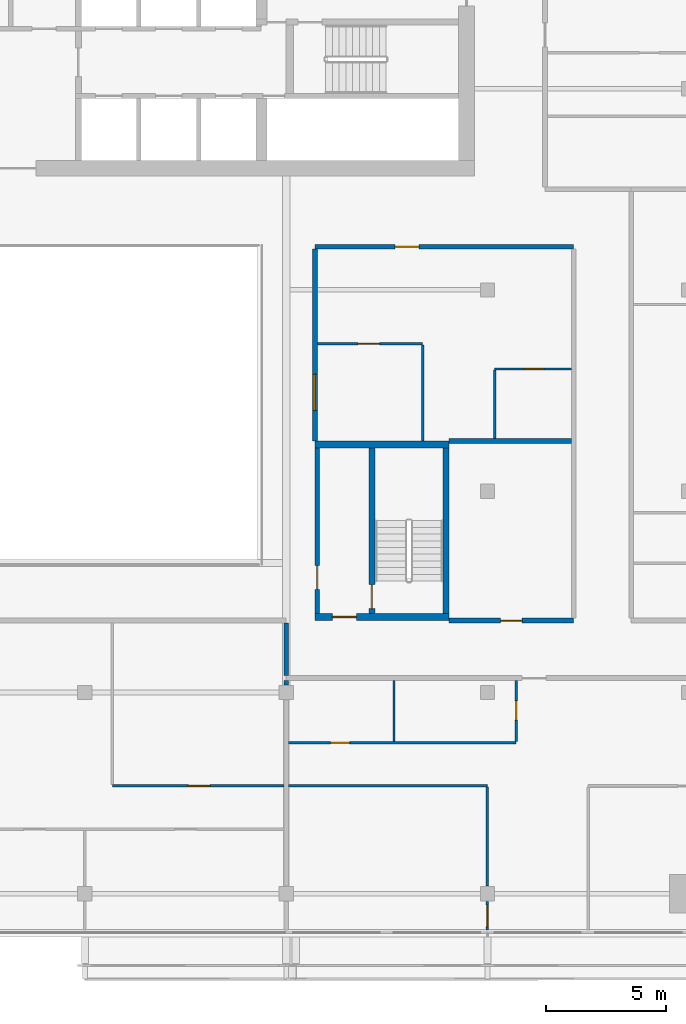
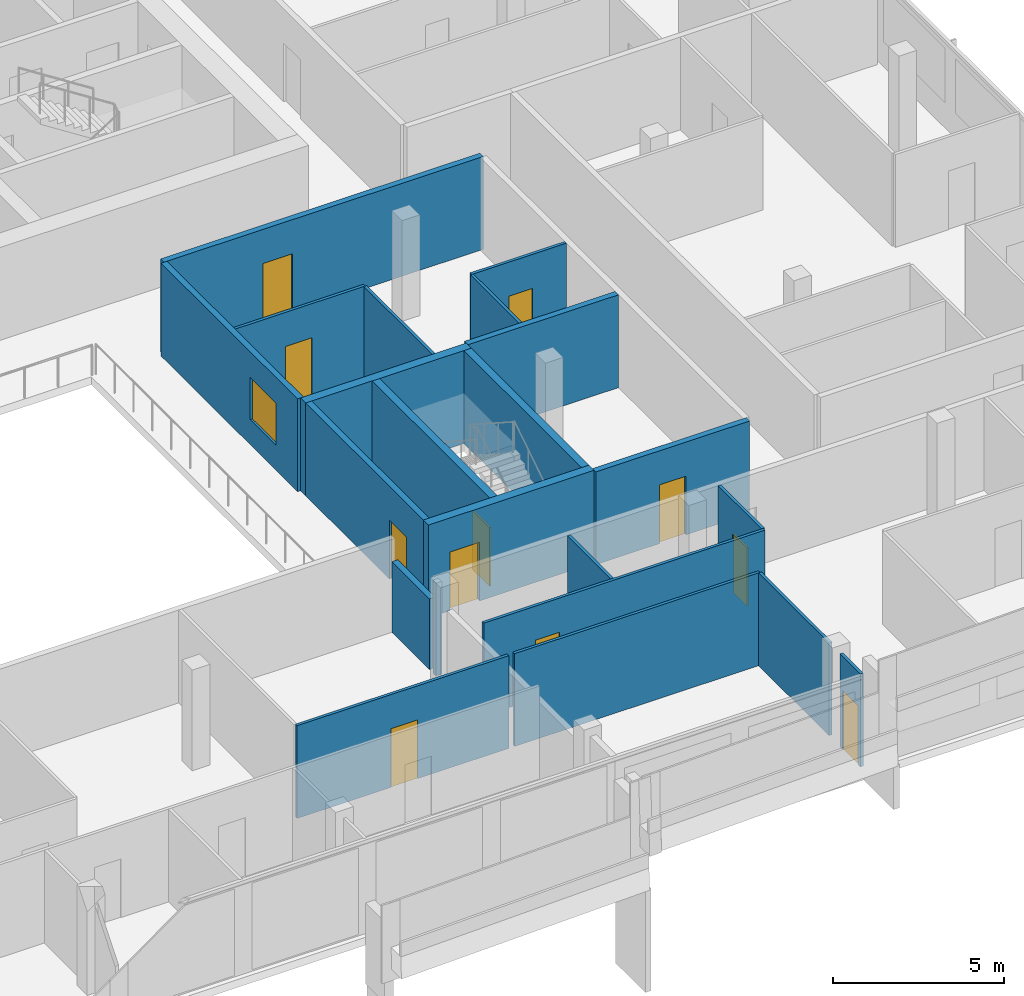
# One storey, part 19 of 27: 22 walls, 11 doors, 1 window, 12 openings.
"""IFC4 building model written with IfcOpenShell, lengths in metres."""

from ifc_helpers import new_model, si_unit, direction, frame, frame_2d, origin, place, context, subcontext, project, spatial, rectangle, extrude, material, layer, layer_set, type_object, element, fill, save


model = new_model("IFC4")

# Units and contexts
model_context = context("Model", 3, precision=1e-05, world=origin(), true_north=direction((0.0, 1.0)))
body_context = subcontext(model_context, "Body", "Model", "MODEL_VIEW")
ifc_project = project(units=[si_unit("LENGTHUNIT", "METRE"), si_unit("AREAUNIT", "SQUARE_METRE"), si_unit("VOLUMEUNIT", "CUBIC_METRE"), si_unit("PLANEANGLEUNIT", "RADIAN"), si_unit("MASSUNIT", "GRAM", prefix="KILO")], contexts=[model_context])

# Site, building, storey
site_placement = place(None, origin())
site = spatial("IfcSite", under=ifc_project, at=site_placement, CompositionType="ELEMENT")
building_placement = place(site_placement, origin())
building = spatial("IfcBuilding", under=site, at=building_placement, Name="Saffron Gate Tower", CompositionType="ELEMENT")
storey_placement = place(building_placement, frame((0.0, 0.0, 234.300048828125)))
storey = spatial("IfcBuildingStorey", under=building, at=storey_placement, Name="L57", CompositionType="ELEMENT", Elevation=234.300048828125)

# Wall, opening, door
ifc_material_1 = material(Name="Gypsum board partition on steel studs", Category="steel")
ifc_layer_1 = layer(ifc_material_1, 0.199951171875)
ifc_layer_set_1 = layer_set([ifc_layer_1], Name="CW10 Core partition 200")
wall_type_1 = type_object("IfcWallType", Name="CW10 Core partition 200", PredefinedType="PARTITIONING", material=ifc_layer_set_1)
wall_1_placement = place(storey_placement, frame((101.5, 43.5, 0.0), z_axis=(0.0, 0.0, 1.0), x_axis=(0.0, 1.0, 0.0)))
wall_1 = element("IfcWall", 1, at=wall_1_placement, inside=storey, type_object=wall_type_1, Name="Wall CW10-L57-E-2", PredefinedType="PARTITIONING", context=body_context, shape_type="SweptSolid", body=[
    extrude(rectangle(XDim=6.89990234375, YDim=0.199951171875, at=frame_2d((3.449951171875, 0.0))), origin(), (0.0, 0.0, 1.0), 3.320068359375),
])
opening_1_placement = place(wall_1_placement, frame((1.0, 0.0, 0.0)))
opening_1 = element("IfcOpeningElement", 2, at=opening_1_placement, cuts=wall_1, Name="Opening CR-22", PredefinedType="OPENING", context=body_context, shape_type="SweptSolid", body=[
    extrude(rectangle(XDim=1.0, YDim=2.10009765625, at=frame_2d((0.5, 1.050048828125))), frame((0.0, 0.10986328125, 0.0), z_axis=(0.0, -1.0, 0.0), x_axis=(1.0, 0.0, 0.0)), (0.0, 0.0, 1.0), 0.219970703125),
])
ifc_material_2 = material(Name="Steel fire door set", Category="steel")
door_type_1 = type_object("IfcDoorType", Name="CD4 Lobby door 1000x2100 EI 120", OperationType="NOTDEFINED", PredefinedType="DOOR", material=ifc_material_2)
door_1_placement = place(opening_1_placement, origin())
door_1 = element("IfcDoor", 3, at=door_1_placement, inside=storey, type_object=door_type_1, Name="DOOR CR-22", OperationType="SINGLE_SWING_LEFT", OverallHeight=2.10009765625, OverallWidth=1.0, PredefinedType="DOOR", context=body_context, shape_type="SweptSolid", body=[
    extrude(rectangle(XDim=1.0, YDim=2.10009765625, at=frame_2d((0.5, 1.050048828125))), frame((0.0, 0.02490234375, 0.0), z_axis=(0.0, -1.0, 0.0), x_axis=(1.0, 0.0, 0.0)), (0.0, 0.0, 1.0), 0.050048828125),
])
fill(opening_1, door_1)

ifc_material_3 = material(Name="Concrete C60", Category="concrete")
ifc_layer_2 = layer(ifc_material_3, 0.25)
ifc_layer_set_2 = layer_set([ifc_layer_2], Name="CW14 RC core wall 250 C60")
wall_type_2 = type_object("IfcWallType", Name="CW14 RC core wall 250 C60", PredefinedType="SOLIDWALL", material=ifc_layer_set_2)
wall_2_placement = place(storey_placement, frame((103.77490234375, 43.5, 0.0), z_axis=(0.0, 0.0, 1.0), x_axis=(0.0, 1.0, 0.0)))
wall_2 = element("IfcWall", 4, at=wall_2_placement, inside=storey, type_object=wall_type_2, Name="Wall CW14-L57-E-3", PredefinedType="SOLIDWALL", context=body_context, shape_type="SweptSolid", body=[
    extrude(rectangle(XDim=6.89990234375, YDim=0.25, at=frame_2d((3.449951171875, 0.0))), origin(), (0.0, 0.0, 1.0), 3.320068359375),
])
opening_2_placement = place(wall_2_placement, frame((0.199951171875, 0.0, 0.0)))
opening_2 = element("IfcOpeningElement", 5, at=opening_2_placement, cuts=wall_2, Name="Opening CR-23", PredefinedType="OPENING", context=body_context, shape_type="SweptSolid", body=[
    extrude(rectangle(XDim=1.0, YDim=2.10009765625, at=frame_2d((0.5, 1.050048828125))), frame((0.0, 0.135009765625, 0.0), z_axis=(0.0, -1.0, 0.0), x_axis=(1.0, 0.0, 0.0)), (0.0, 0.0, 1.0), 0.27001953125),
])
door_type_2 = type_object("IfcDoorType", Name="CD5 Stair door 1000x2100 EI 120", OperationType="NOTDEFINED", PredefinedType="DOOR", material=ifc_material_2)
door_2_placement = place(opening_2_placement, origin())
door_2 = element("IfcDoor", 6, at=door_2_placement, inside=storey, type_object=door_type_2, Name="DOOR CR-23", OperationType="SINGLE_SWING_RIGHT", OverallHeight=2.10009765625, OverallWidth=1.0, PredefinedType="DOOR", context=body_context, shape_type="SweptSolid", body=[
    extrude(rectangle(XDim=1.0, YDim=2.10009765625, at=frame_2d((0.5, 1.050048828125))), frame((0.0, 0.02490234375, 0.0), z_axis=(0.0, -1.0, 0.0), x_axis=(1.0, 0.0, 0.0)), (0.0, 0.0, 1.0), 0.050048828125),
])
fill(opening_2, door_2)

# Wall
wall_3_placement = place(storey_placement, frame((106.875, 43.5, 0.0), z_axis=(0.0, 0.0, 1.0), x_axis=(0.0, 1.0, 0.0)))
element("IfcWall", 7, at=wall_3_placement, inside=storey, type_object=wall_type_2, Name="Wall CW14-L57-E-4", PredefinedType="SOLIDWALL", context=body_context, shape_type="SweptSolid", body=[
    extrude(rectangle(XDim=6.89990234375, YDim=0.25, at=frame_2d((3.449951171875, 0.0))), origin(), (0.0, 0.0, 1.0), 3.320068359375),
])

# Wall, opening, door
ifc_layer_3 = layer(ifc_material_3, 0.300048828125)
ifc_layer_set_3 = layer_set([ifc_layer_3], Name="CW17 RC core wall 300 C60")
wall_type_3 = type_object("IfcWallType", Name="CW17 RC core wall 300 C60", PredefinedType="SOLIDWALL", material=ifc_layer_set_3)
wall_4_placement = place(storey_placement, frame((101.39990234375, 43.35009765625, 0.0), z_axis=(0.0, 0.0, 1.0), x_axis=(1.0, 0.0, 0.0)))
wall_4 = element("IfcWall", 8, at=wall_4_placement, inside=storey, type_object=wall_type_3, Name="Wall CW17-L57-E-1", PredefinedType="SOLIDWALL", context=body_context, shape_type="SweptSolid", body=[
    extrude(rectangle(XDim=5.60009765625, YDim=0.300048828125, at=frame_2d((2.800048828125, 0.0))), origin(), (0.0, 0.0, 1.0), 3.320068359375),
])
opening_3_placement = place(wall_4_placement, frame((0.72509765625, 0.0, 0.0)))
opening_3 = element("IfcOpeningElement", 9, at=opening_3_placement, cuts=wall_4, Name="Opening CR-21", PredefinedType="OPENING", context=body_context, shape_type="SweptSolid", body=[
    extrude(rectangle(XDim=1.0, YDim=2.10009765625, at=frame_2d((0.5, 1.050048828125))), frame((0.0, 0.16015625, 0.0), z_axis=(0.0, -1.0, 0.0), x_axis=(1.0, 0.0, 0.0)), (0.0, 0.0, 1.0), 0.320068359375),
])
door_3_placement = place(opening_3_placement, origin())
door_3 = element("IfcDoor", 10, at=door_3_placement, inside=storey, type_object=door_type_1, Name="DOOR CR-21", OperationType="SINGLE_SWING_RIGHT", OverallHeight=2.10009765625, OverallWidth=1.0, PredefinedType="DOOR", context=body_context, shape_type="SweptSolid", body=[
    extrude(rectangle(XDim=1.0, YDim=2.10009765625, at=frame_2d((0.5, 1.050048828125))), frame((0.0, 0.02490234375, 0.0), z_axis=(0.0, -1.0, 0.0), x_axis=(1.0, 0.0, 0.0)), (0.0, 0.0, 1.0), 0.050048828125),
])
fill(opening_3, door_3)

# Wall
wall_5_placement = place(storey_placement, frame((101.39990234375, 50.550048828125, 0.0), z_axis=(0.0, 0.0, 1.0), x_axis=(1.0, 0.0, 0.0)))
element("IfcWall", 11, at=wall_5_placement, inside=storey, type_object=wall_type_3, Name="Wall CW17-L57-E-5", PredefinedType="SOLIDWALL", context=body_context, shape_type="SweptSolid", body=[
    extrude(rectangle(XDim=5.60009765625, YDim=0.300048828125, at=frame_2d((2.800048828125, 0.0))), origin(), (0.0, 0.0, 1.0), 3.320068359375),
])

# Wall, opening, door
ifc_material_4 = material(Name="Plasterboard on steel studs", Category="steel")
ifc_layer_4 = layer(ifc_material_4, 0.10009765625)
ifc_layer_set_4 = layer_set([ifc_layer_4], Name="PW1 Partition 100")
wall_type_4 = type_object("IfcWallType", Name="PW1 Partition 100", PredefinedType="PARTITIONING", material=ifc_layer_set_4)
wall_6_placement = place(storey_placement, frame((100.300048828125, 38.10009765625, 0.0), z_axis=(0.0, 0.0, 1.0), x_axis=(1.0, 0.0, 0.0)))
wall_6 = element("IfcWall", 12, at=wall_6_placement, inside=storey, type_object=wall_type_4, Name="Partition D3-6", PredefinedType="PARTITIONING", context=body_context, shape_type="SweptSolid", body=[
    extrude(rectangle(XDim=9.5, YDim=0.10009765625, at=frame_2d((4.75, 0.0))), origin(), (0.0, 0.0, 1.0), 3.320068359375),
])
opening_4_placement = place(wall_6_placement, frame((1.75, 0.0, 0.0)))
opening_4 = element("IfcOpeningElement", 13, at=opening_4_placement, cuts=wall_6, Name="Opening D3-43", PredefinedType="OPENING", context=body_context, shape_type="SweptSolid", body=[
    extrude(rectangle(XDim=0.800048828125, YDim=2.10009765625, at=frame_2d((0.39990234375, 1.050048828125))), frame((0.0, 0.06005859375, 0.0), z_axis=(0.0, -1.0, 0.0), x_axis=(1.0, 0.0, 0.0)), (0.0, 0.0, 1.0), 0.1201171875),
])
ifc_material_5 = material(Name="Timber door set", Category="wood")
door_type_3 = type_object("IfcDoorType", Name="RD2 Bathroom door 800x2100", OperationType="NOTDEFINED", PredefinedType="DOOR", material=ifc_material_5)
door_4_placement = place(opening_4_placement, origin())
door_4 = element("IfcDoor", 14, at=door_4_placement, inside=storey, type_object=door_type_3, Name="Door D3-43", OperationType="SINGLE_SWING_LEFT", OverallHeight=2.10009765625, OverallWidth=0.800048828125, PredefinedType="DOOR", context=body_context, shape_type="SweptSolid", body=[
    extrude(rectangle(XDim=0.800048828125, YDim=2.10009765625, at=frame_2d((0.39990234375, 1.050048828125))), frame((0.0, 0.02490234375, 0.0), z_axis=(0.0, -1.0, 0.0), x_axis=(1.0, 0.0, 0.0)), (0.0, 0.0, 1.0), 0.050048828125),
])
fill(opening_4, door_4)

wall_7_placement = place(storey_placement, frame((112.10009765625, 53.699951171875, 0.0), z_axis=(0.0, 0.0, 1.0), x_axis=(-1.0, 0.0, 0.0)))
wall_7 = element("IfcWall", 15, at=wall_7_placement, inside=storey, type_object=wall_type_4, Name="Partition D3-30", PredefinedType="PARTITIONING", context=body_context, shape_type="SweptSolid", body=[
    extrude(rectangle(XDim=3.2001953125, YDim=0.10009765625, at=frame_2d((1.60009765625, 0.0))), origin(), (0.0, 0.0, 1.0), 3.320068359375),
])
opening_5_placement = place(wall_7_placement, frame((1.14990234375, 0.0, 0.0)))
opening_5 = element("IfcOpeningElement", 16, at=opening_5_placement, cuts=wall_7, Name="Opening D3-53", PredefinedType="OPENING", context=body_context, shape_type="SweptSolid", body=[
    extrude(rectangle(XDim=0.800048828125, YDim=2.10009765625, at=frame_2d((0.39990234375, 1.050048828125))), frame((0.0, 0.06005859375, 0.0), z_axis=(0.0, -1.0, 0.0), x_axis=(1.0, 0.0, 0.0)), (0.0, 0.0, 1.0), 0.1201171875),
])
door_5_placement = place(opening_5_placement, origin())
door_5 = element("IfcDoor", 17, at=door_5_placement, inside=storey, type_object=door_type_3, Name="Door D3-53", OperationType="SINGLE_SWING_LEFT", OverallHeight=2.10009765625, OverallWidth=0.800048828125, PredefinedType="DOOR", context=body_context, shape_type="SweptSolid", body=[
    extrude(rectangle(XDim=0.800048828125, YDim=2.10009765625, at=frame_2d((0.39990234375, 1.050048828125))), frame((0.0, 0.02490234375, 0.0), z_axis=(0.0, -1.0, 0.0), x_axis=(1.0, 0.0, 0.0)), (0.0, 0.0, 1.0), 0.050048828125),
])
fill(opening_5, door_5)

wall_8_placement = place(storey_placement, frame((105.89990234375, 54.75, 0.0), z_axis=(0.0, 0.0, 1.0), x_axis=(-1.0, 0.0, 0.0)))
wall_8 = element("IfcWall", 18, at=wall_8_placement, inside=storey, type_object=wall_type_4, Name="Partition D3-33", PredefinedType="PARTITIONING", context=body_context, shape_type="SweptSolid", body=[
    extrude(rectangle(XDim=4.39990234375, YDim=0.10009765625, at=frame_2d((2.199951171875, 0.0))), origin(), (0.0, 0.0, 1.0), 3.320068359375),
])
opening_6_placement = place(wall_8_placement, frame((1.800048828125, 0.0, 0.0)))
opening_6 = element("IfcOpeningElement", 19, at=opening_6_placement, cuts=wall_8, Name="Opening D3-38", PredefinedType="OPENING", context=body_context, shape_type="SweptSolid", body=[
    extrude(rectangle(XDim=0.89990234375, YDim=2.10009765625, at=frame_2d((0.449951171875, 1.050048828125))), frame((0.0, 0.06005859375, 0.0), z_axis=(0.0, -1.0, 0.0), x_axis=(1.0, 0.0, 0.0)), (0.0, 0.0, 1.0), 0.1201171875),
])
door_type_4 = type_object("IfcDoorType", Name="RD1 Room door 900x2100", OperationType="NOTDEFINED", PredefinedType="DOOR", material=ifc_material_5)
door_6_placement = place(opening_6_placement, origin())
door_6 = element("IfcDoor", 20, at=door_6_placement, inside=storey, type_object=door_type_4, Name="Door D3-38", OperationType="SINGLE_SWING_RIGHT", OverallHeight=2.10009765625, OverallWidth=0.89990234375, PredefinedType="DOOR", context=body_context, shape_type="SweptSolid", body=[
    extrude(rectangle(XDim=0.89990234375, YDim=2.10009765625, at=frame_2d((0.449951171875, 1.050048828125))), frame((0.0, 0.02490234375, 0.0), z_axis=(0.0, -1.0, 0.0), x_axis=(1.0, 0.0, 0.0)), (0.0, 0.0, 1.0), 0.050048828125),
])
fill(opening_6, door_6)

# Walls
wall_9_placement = place(storey_placement, frame((104.699951171875, 40.699951171875, 0.0), z_axis=(0.0, 0.0, 1.0), x_axis=(0.0, -1.0, 0.0)))
element("IfcWall", 21, at=wall_9_placement, inside=storey, type_object=wall_type_4, Name="Partition D3-96", PredefinedType="PARTITIONING", context=body_context, shape_type="SweptSolid", body=[
    extrude(rectangle(XDim=2.550048828125, YDim=0.10009765625, at=frame_2d((1.27490234375, 0.0))), origin(), (0.0, 0.0, 1.0), 3.320068359375),
])
wall_10_placement = place(storey_placement, frame((105.89990234375, 54.699951171875, 0.0), z_axis=(0.0, 0.0, 1.0), x_axis=(0.0, -1.0, 0.0)))
element("IfcWall", 22, at=wall_10_placement, inside=storey, type_object=wall_type_4, Name="Partition D3-97", PredefinedType="PARTITIONING", context=body_context, shape_type="SweptSolid", body=[
    extrude(rectangle(XDim=4.0, YDim=0.10009765625, at=frame_2d((2.0, 0.0))), origin(), (0.0, 0.0, 1.0), 3.320068359375),
])

# Wall, opening, door
wall_11_placement = place(storey_placement, frame((108.60009765625, 30.280029296875, 0.0), z_axis=(0.0, 0.0, 1.0), x_axis=(0.0, 1.0, 0.0)))
wall_11 = element("IfcWall", 23, at=wall_11_placement, inside=storey, type_object=wall_type_4, Name="Partition D3-98", PredefinedType="PARTITIONING", context=body_context, shape_type="SweptSolid", body=[
    extrude(rectangle(XDim=1.199951171875, YDim=0.10009765625, at=frame_2d((0.60009765625, 0.0))), origin(), (0.0, 0.0, 1.0), 3.320068359375),
])
opening_7_placement = place(wall_11_placement, frame((0.14990234375, 0.0, 0.0)))
opening_7 = element("IfcOpeningElement", 24, at=opening_7_placement, cuts=wall_11, Name="Opening D3-21", PredefinedType="OPENING", context=body_context, shape_type="SweptSolid", body=[
    extrude(rectangle(XDim=0.89990234375, YDim=2.10009765625, at=frame_2d((0.449951171875, 1.050048828125))), frame((0.0, 0.06005859375, 0.0), z_axis=(0.0, -1.0, 0.0), x_axis=(1.0, 0.0, 0.0)), (0.0, 0.0, 1.0), 0.1201171875),
])
door_7_placement = place(opening_7_placement, origin())
door_7 = element("IfcDoor", 25, at=door_7_placement, inside=storey, type_object=door_type_4, Name="Door D3-21", OperationType="SINGLE_SWING_LEFT", OverallHeight=2.10009765625, OverallWidth=0.89990234375, PredefinedType="DOOR", context=body_context, shape_type="SweptSolid", body=[
    extrude(rectangle(XDim=0.89990234375, YDim=2.10009765625, at=frame_2d((0.449951171875, 1.050048828125))), frame((0.0, 0.02490234375, 0.0), z_axis=(0.0, -1.0, 0.0), x_axis=(1.0, 0.0, 0.0)), (0.0, 0.0, 1.0), 0.050048828125),
])
fill(opening_7, door_7)

# Walls
wall_12_placement = place(storey_placement, frame((108.60009765625, 36.25, 0.0), z_axis=(0.0, 0.0, 1.0), x_axis=(0.0, -1.0, 0.0)))
element("IfcWall", 26, at=wall_12_placement, inside=storey, type_object=wall_type_4, Name="Partition D3-99", PredefinedType="PARTITIONING", context=body_context, shape_type="SweptSolid", body=[
    extrude(rectangle(XDim=4.1298828125, YDim=0.10009765625, at=frame_2d((2.06494140625, 0.0))), origin(), (0.0, 0.0, 1.0), 3.320068359375),
])
wall_13_placement = place(storey_placement, frame((108.89990234375, 53.64990234375, 0.0), z_axis=(0.0, 0.0, 1.0), x_axis=(0.0, -1.0, 0.0)))
element("IfcWall", 27, at=wall_13_placement, inside=storey, type_object=wall_type_4, Name="Partition D3-100", PredefinedType="PARTITIONING", context=body_context, shape_type="SweptSolid", body=[
    extrude(rectangle(XDim=2.849853515625, YDim=0.10009765625, at=frame_2d((1.4248046875, 0.0))), origin(), (0.0, 0.0, 1.0), 3.320068359375),
])

# Wall, opening, door
wall_14_placement = place(storey_placement, frame((109.800048828125, 38.14990234375, 0.0), z_axis=(0.0, 0.0, 1.0), x_axis=(0.0, 1.0, 0.0)))
wall_14 = element("IfcWall", 28, at=wall_14_placement, inside=storey, type_object=wall_type_4, Name="Partition D3-101", PredefinedType="PARTITIONING", context=body_context, shape_type="SweptSolid", body=[
    extrude(rectangle(XDim=2.550048828125, YDim=0.10009765625, at=frame_2d((1.27490234375, 0.0))), origin(), (0.0, 0.0, 1.0), 3.320068359375),
])
opening_8_placement = place(wall_14_placement, frame((0.89990234375, 0.0, 0.0)))
opening_8 = element("IfcOpeningElement", 29, at=opening_8_placement, cuts=wall_14, Name="Opening D3-44", PredefinedType="OPENING", context=body_context, shape_type="SweptSolid", body=[
    extrude(rectangle(XDim=0.800048828125, YDim=2.10009765625, at=frame_2d((0.39990234375, 1.050048828125))), frame((0.0, 0.06005859375, 0.0), z_axis=(0.0, -1.0, 0.0), x_axis=(1.0, 0.0, 0.0)), (0.0, 0.0, 1.0), 0.1201171875),
])
door_8_placement = place(opening_8_placement, origin())
door_8 = element("IfcDoor", 30, at=door_8_placement, inside=storey, type_object=door_type_3, Name="Door D3-44", OperationType="SINGLE_SWING_RIGHT", OverallHeight=2.10009765625, OverallWidth=0.800048828125, PredefinedType="DOOR", context=body_context, shape_type="SweptSolid", body=[
    extrude(rectangle(XDim=0.800048828125, YDim=2.10009765625, at=frame_2d((0.39990234375, 1.050048828125))), frame((0.0, 0.02490234375, 0.0), z_axis=(0.0, -1.0, 0.0), x_axis=(1.0, 0.0, 0.0)), (0.0, 0.0, 1.0), 0.050048828125),
])
fill(opening_8, door_8)

wall_15_placement = place(storey_placement, frame((92.94189453125, 36.300048828125, 0.0), z_axis=(0.0, 0.0, 1.0), x_axis=(1.0, 0.0, 0.0)))
wall_15 = element("IfcWall", 31, at=wall_15_placement, inside=storey, type_object=wall_type_4, Name="Partition D3-116", PredefinedType="PARTITIONING", context=body_context, shape_type="SweptSolid", body=[
    extrude(rectangle(XDim=7.158203125, YDim=0.10009765625, at=frame_2d((3.5791015625, 0.0))), origin(), (0.0, 0.0, 1.0), 3.320068359375),
])
opening_9_placement = place(wall_15_placement, frame((3.178955078125, 0.0, 0.0)))
opening_9 = element("IfcOpeningElement", 32, at=opening_9_placement, cuts=wall_15, Name="Opening D3-19", PredefinedType="OPENING", context=body_context, shape_type="SweptSolid", body=[
    extrude(rectangle(XDim=0.89990234375, YDim=2.10009765625, at=frame_2d((0.449951171875, 1.050048828125))), frame((0.0, 0.06005859375, 0.0), z_axis=(0.0, -1.0, 0.0), x_axis=(1.0, 0.0, 0.0)), (0.0, 0.0, 1.0), 0.1201171875),
])
door_9_placement = place(opening_9_placement, origin())
door_9 = element("IfcDoor", 33, at=door_9_placement, inside=storey, type_object=door_type_4, Name="Door D3-19", OperationType="SINGLE_SWING_RIGHT", OverallHeight=2.10009765625, OverallWidth=0.89990234375, PredefinedType="DOOR", context=body_context, shape_type="SweptSolid", body=[
    extrude(rectangle(XDim=0.89990234375, YDim=2.10009765625, at=frame_2d((0.449951171875, 1.050048828125))), frame((0.0, 0.02490234375, 0.0), z_axis=(0.0, -1.0, 0.0), x_axis=(1.0, 0.0, 0.0)), (0.0, 0.0, 1.0), 0.050048828125),
])
fill(opening_9, door_9)

# Walls
wall_16_placement = place(storey_placement, frame((100.300048828125, 36.300048828125, 0.0), z_axis=(0.0, 0.0, 1.0), x_axis=(1.0, 0.0, 0.0)))
element("IfcWall", 34, at=wall_16_placement, inside=storey, type_object=wall_type_4, Name="Partition D3-117", PredefinedType="PARTITIONING", context=body_context, shape_type="SweptSolid", body=[
    extrude(rectangle(XDim=8.300048828125, YDim=0.10009765625, at=frame_2d((4.14990234375, 0.0))), origin(), (0.0, 0.0, 1.0), 3.320068359375),
])
ifc_material_6 = material(Name="Clay brick masonry, rendered", Category="masonry")
ifc_layer_5 = layer(ifc_material_6, 0.199951171875)
ifc_layer_set_5 = layer_set([ifc_layer_5], Name="PW2 Demising wall 200")
wall_type_5 = type_object("IfcWallType", Name="PW2 Demising wall 200", PredefinedType="PARTITIONING", material=ifc_layer_set_5)
wall_17_placement = place(storey_placement, frame((107.0, 50.699951171875, 0.0), z_axis=(0.0, 0.0, 1.0), x_axis=(1.0, 0.0, 0.0)))
element("IfcWall", 35, at=wall_17_placement, inside=storey, type_object=wall_type_5, Name="Wall D3-25", PredefinedType="PARTITIONING", context=body_context, shape_type="SweptSolid", body=[
    extrude(rectangle(XDim=5.10009765625, YDim=0.199951171875, at=frame_2d((2.550048828125, 0.0))), origin(), (0.0, 0.0, 1.0), 3.320068359375),
])
wall_18_placement = place(storey_placement, frame((100.199951171875, 40.699951171875, 0.0), z_axis=(0.0, 0.0, 1.0), x_axis=(0.0, -1.0, 0.0)))
element("IfcWall", 36, at=wall_18_placement, inside=storey, type_object=wall_type_5, Name="Wall D3-94", PredefinedType="PARTITIONING", context=body_context, shape_type="SweptSolid", body=[
    extrude(rectangle(XDim=0.179931640625, YDim=0.199951171875, at=frame_2d((0.08984375, 0.0))), origin(), (0.0, 0.0, 1.0), 3.320068359375),
])

# Wall, opening, door
ifc_layer_6 = layer(ifc_material_6, 0.199951171875)
ifc_layer_set_6 = layer_set([ifc_layer_6], Name="PW3 Corridor wall 200")
wall_type_6 = type_object("IfcWallType", Name="PW3 Corridor wall 200", PredefinedType="PARTITIONING", material=ifc_layer_set_6)
wall_19_placement = place(storey_placement, frame((107.0, 43.199951171875, 0.0), z_axis=(0.0, 0.0, 1.0), x_axis=(1.0, 0.0, 0.0)))
wall_19 = element("IfcWall", 37, at=wall_19_placement, inside=storey, type_object=wall_type_6, Name="Wall D3-15", PredefinedType="PARTITIONING", context=body_context, shape_type="SweptSolid", body=[
    extrude(rectangle(XDim=5.199951171875, YDim=0.199951171875, at=frame_2d((2.60009765625, 0.0))), origin(), (0.0, 0.0, 1.0), 3.320068359375),
])
opening_10_placement = place(wall_19_placement, frame((2.14990234375, 0.0, 0.0)))
opening_10 = element("IfcOpeningElement", 38, at=opening_10_placement, cuts=wall_19, Name="Opening D3-54", PredefinedType="OPENING", context=body_context, shape_type="SweptSolid", body=[
    extrude(rectangle(XDim=0.89990234375, YDim=2.10009765625, at=frame_2d((0.449951171875, 1.050048828125))), frame((0.0, 0.10986328125, 0.0), z_axis=(0.0, -1.0, 0.0), x_axis=(1.0, 0.0, 0.0)), (0.0, 0.0, 1.0), 0.219970703125),
])
door_type_5 = type_object("IfcDoorType", Name="SD1 Service door 900x2100", OperationType="NOTDEFINED", PredefinedType="DOOR", material=ifc_material_2)
door_10_placement = place(opening_10_placement, origin())
door_10 = element("IfcDoor", 39, at=door_10_placement, inside=storey, type_object=door_type_5, Name="Door D3-54", OperationType="SINGLE_SWING_LEFT", OverallHeight=2.10009765625, OverallWidth=0.89990234375, PredefinedType="DOOR", context=body_context, shape_type="SweptSolid", body=[
    extrude(rectangle(XDim=0.89990234375, YDim=2.10009765625, at=frame_2d((0.449951171875, 1.050048828125))), frame((0.0, 0.02490234375, 0.0), z_axis=(0.0, -1.0, 0.0), x_axis=(1.0, 0.0, 0.0)), (0.0, 0.0, 1.0), 0.050048828125),
])
fill(opening_10, door_10)

wall_20_placement = place(storey_placement, frame((112.199951171875, 58.800048828125, 0.0), z_axis=(0.0, 0.0, 1.0), x_axis=(-1.0, 0.0, 0.0)))
wall_20 = element("IfcWall", 40, at=wall_20_placement, inside=storey, type_object=wall_type_6, Name="Wall D3-37", PredefinedType="PARTITIONING", context=body_context, shape_type="SweptSolid", body=[
    extrude(rectangle(XDim=10.800048828125, YDim=0.199951171875, at=frame_2d((5.39990234375, 0.0))), origin(), (0.0, 0.0, 1.0), 3.320068359375),
])
opening_11_placement = place(wall_20_placement, frame((6.449951171875, 0.0, 0.0)))
opening_11 = element("IfcOpeningElement", 41, at=opening_11_placement, cuts=wall_20, Name="Opening D3-9", PredefinedType="OPENING", context=body_context, shape_type="SweptSolid", body=[
    extrude(rectangle(XDim=1.0, YDim=2.10009765625, at=frame_2d((0.5, 1.050048828125))), frame((0.0, 0.10986328125, 0.0), z_axis=(0.0, -1.0, 0.0), x_axis=(1.0, 0.0, 0.0)), (0.0, 0.0, 1.0), 0.219970703125),
])
ifc_material_7 = material(Name="Timber fire door set", Category="wood")
door_type_6 = type_object("IfcDoorType", Name="FD1 Flat entry door 1000x2100", OperationType="NOTDEFINED", PredefinedType="DOOR", material=ifc_material_7)
door_11_placement = place(opening_11_placement, origin())
door_11 = element("IfcDoor", 42, at=door_11_placement, inside=storey, type_object=door_type_6, Name="Door D3-9", OperationType="SINGLE_SWING_LEFT", OverallHeight=2.10009765625, OverallWidth=1.0, PredefinedType="DOOR", context=body_context, shape_type="SweptSolid", body=[
    extrude(rectangle(XDim=1.0, YDim=2.10009765625, at=frame_2d((0.5, 1.050048828125))), frame((0.0, 0.02490234375, 0.0), z_axis=(0.0, -1.0, 0.0), x_axis=(1.0, 0.0, 0.0)), (0.0, 0.0, 1.0), 0.050048828125),
])
fill(opening_11, door_11)

# Wall
wall_21_placement = place(storey_placement, frame((100.199951171875, 43.10009765625, 0.0), z_axis=(0.0, 0.0, 1.0), x_axis=(0.0, -1.0, 0.0)))
element("IfcWall", 43, at=wall_21_placement, inside=storey, type_object=wall_type_6, Name="Wall D3-91", PredefinedType="PARTITIONING", context=body_context, shape_type="SweptSolid", body=[
    extrude(rectangle(XDim=2.2001953125, YDim=0.199951171875, at=frame_2d((1.10009765625, 0.0))), origin(), (0.0, 0.0, 1.0), 2.530029296875),
])

# Wall, opening, window
wall_22_placement = place(storey_placement, frame((101.39990234375, 58.699951171875, 0.0), z_axis=(0.0, 0.0, 1.0), x_axis=(0.0, -1.0, 0.0)))
wall_22 = element("IfcWall", 44, at=wall_22_placement, inside=storey, type_object=wall_type_6, Name="Wall D3-95", PredefinedType="PARTITIONING", context=body_context, shape_type="SweptSolid", body=[
    extrude(rectangle(XDim=8.0, YDim=0.199951171875, at=frame_2d((4.0, 0.0))), origin(), (0.0, 0.0, 1.0), 3.320068359375),
])
opening_12_placement = place(wall_22_placement, frame((5.22509765625, 0.0, 0.89990234375)))
opening_12 = element("IfcOpeningElement", 45, at=opening_12_placement, cuts=wall_22, Name="Opening GW1", PredefinedType="OPENING", context=body_context, shape_type="SweptSolid", body=[
    extrude(rectangle(XDim=1.5, YDim=1.5, at=frame_2d((0.75, 0.75))), frame((0.0, 0.10986328125, 0.0), z_axis=(0.0, -1.0, 0.0), x_axis=(1.0, 0.0, 0.0)), (0.0, 0.0, 1.0), 0.219970703125),
])
ifc_material_8 = material(Name="Fire-resisting laminated glass in steel frame", Category="steel")
ifc_layer_7 = layer(ifc_material_8, 0.06005859375)
ifc_layer_set_7 = layer_set([ifc_layer_7], Name="GW1 Gallery window 1500x1500")
window_type = type_object("IfcWindowType", Name="GW1 Gallery window 1500x1500", PartitioningType="SINGLE_PANEL", PredefinedType="WINDOW", material=ifc_layer_set_7)
window_placement = place(opening_12_placement, origin())
window = element("IfcWindow", 46, at=window_placement, inside=storey, type_object=window_type, Name="GW1 window D3-J-B1", OverallHeight=1.5, OverallWidth=1.5, PartitioningType="SINGLE_PANEL", PredefinedType="WINDOW", context=body_context, shape_type="SweptSolid", body=[
    extrude(rectangle(XDim=1.5, YDim=1.5, at=frame_2d((0.75, 0.75))), frame((0.0, 0.030029296875, 0.0), z_axis=(0.0, -1.0, 0.0), x_axis=(1.0, 0.0, 0.0)), (0.0, 0.0, 1.0), 0.06005859375),
])
fill(opening_12, window)

save(model, "model.ifc")
